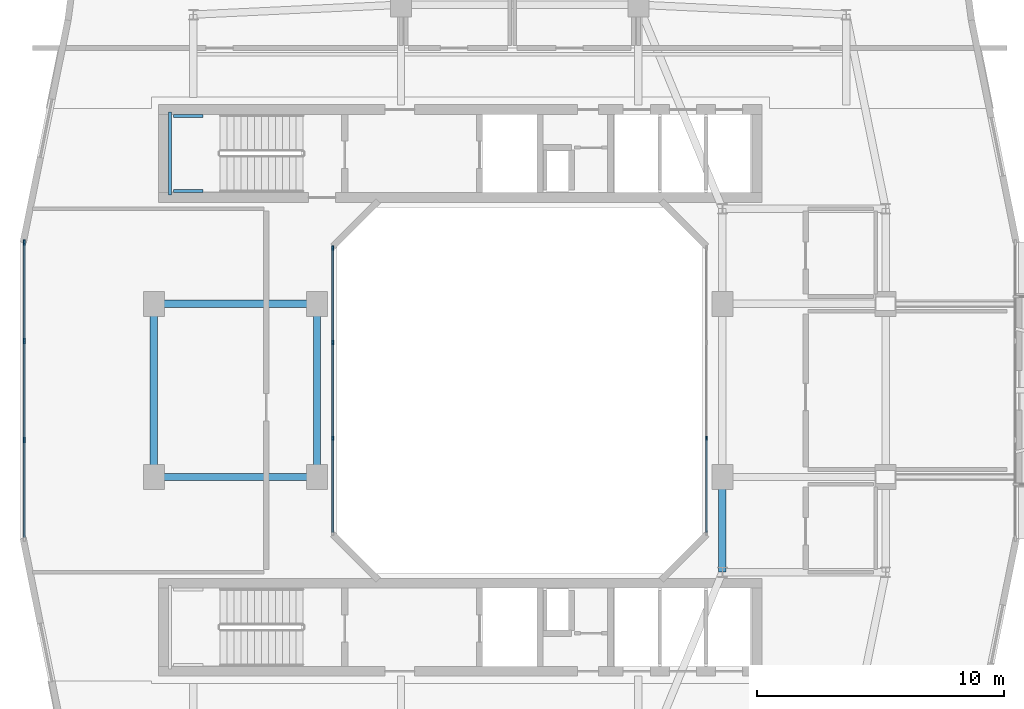
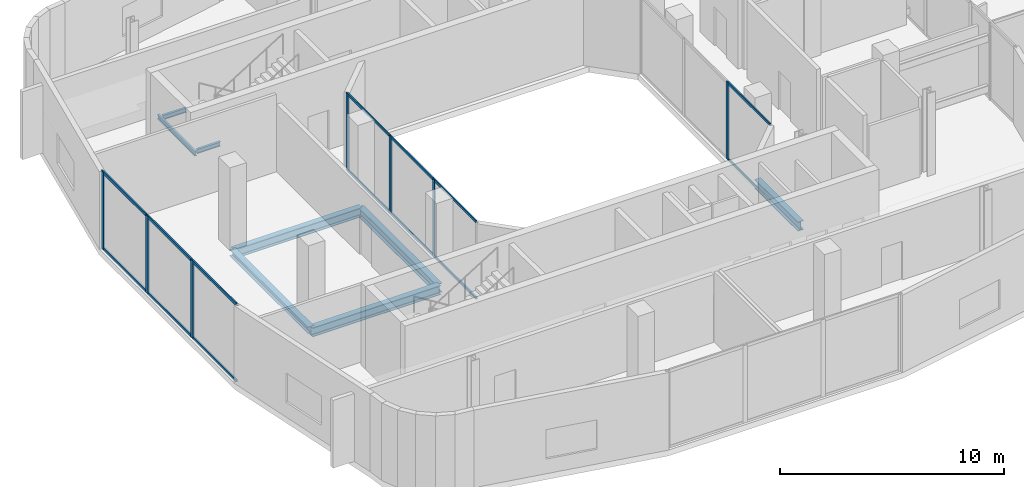
# One storey, part 4 of 24: 21 members, 8 beams, 3 elements without a shape of their own.
"""IFC4 building model written with IfcOpenShell, lengths in metres."""

from ifc_helpers import new_model, si_unit, derived_unit, direction, frame, origin, origin_2d, place, context, subcontext, project, spatial, rectangle, i_section, extrude, material, layer, layer_set, material_profile, profile_set, type_object, element, aggregate, save


model = new_model("IFC4")

# Units and contexts
model_context = context("Model", 3, precision=1e-05, world=origin(), true_north=direction((0.0, 1.0)))
body_context = subcontext(model_context, "Body", "Model", "MODEL_VIEW")
ifc_project = project(units=[si_unit("LENGTHUNIT", "METRE"), si_unit("AREAUNIT", "SQUARE_METRE"), si_unit("VOLUMEUNIT", "CUBIC_METRE"), si_unit("PLANEANGLEUNIT", "RADIAN"), si_unit("MASSUNIT", "GRAM", prefix="KILO"), derived_unit("THERMALTRANSMITTANCEUNIT", [(si_unit("POWERUNIT", "WATT"), 1), (si_unit("LENGTHUNIT", "METRE"), -2), (si_unit("THERMODYNAMICTEMPERATUREUNIT", "KELVIN"), -1)])], contexts=[model_context])

# Site, building, storey
site_placement = place(None, origin())
site = spatial("IfcSite", under=ifc_project, at=site_placement, CompositionType="ELEMENT")
building_placement = place(site_placement, origin())
building = spatial("IfcBuilding", under=site, at=building_placement, Name="Kivonza Crest Hotel", CompositionType="ELEMENT")
storey_placement = place(building_placement, frame((0.0, 0.0, 119.5)))
storey = spatial("IfcBuildingStorey", under=building, at=storey_placement, Name="L32", CompositionType="ELEMENT", Elevation=119.5)

# Beams
ifc_material_1 = material(Name="Steel S355", Category="steel")
ifc_material_profile_1 = material_profile(ifc_material_1, i_section(OverallWidth=0.300048828125, OverallDepth=0.360107421875, WebThickness=0.012451171875, FlangeThickness=0.0224609375, FilletRadius=0.027099609375, at=origin_2d()), Name="HEB 360")
ifc_profile_set_1 = profile_set([ifc_material_profile_1], Name="Steel S355")
beam_type_1 = type_object("IfcBeamType", Name="BM-HEB360", PredefinedType="SPANDREL", material=ifc_profile_set_1)
beam_1_placement = place(storey_placement, frame((6.199951171875, 28.5, -0.5), z_axis=(0.0, -1.0, 0.0), x_axis=(1.0, 0.0, 0.0)))
element("IfcBeam", 1, at=beam_1_placement, inside=storey, type_object=beam_type_1, Name="Tower T1 L32 perimeter spandrel W2-W1", PredefinedType="SPANDREL", context=body_context, shape_type="SweptSolid", body=[
    extrude(i_section(OverallWidth=0.300048828125, OverallDepth=0.360107421875, WebThickness=0.012451171875, FlangeThickness=0.0224609375, FilletRadius=0.027099609375, at=origin_2d()), origin(), (0.0, 0.0, 1.0), 7.0),
])
ifc_material_profile_2 = material_profile(ifc_material_1, i_section(OverallWidth=0.300048828125, OverallDepth=0.5, WebThickness=0.014404296875, FlangeThickness=0.028076171875, FilletRadius=0.027099609375, at=origin_2d()), Name="HEB 500")
ifc_profile_set_2 = profile_set([ifc_material_profile_2], Name="Steel S355")
beam_type_2 = type_object("IfcBeamType", Name="BM-HEB500", PredefinedType="BEAM", material=ifc_profile_set_2)
for number, where, z_axis, x_axis, name in (
    (2, (6.199951171875, 21.5, -0.570068359375), (1.0, 0.0, 0.0), (0.0, 1.0, 0.0), "Tower T1 L32 primary girder W1-WL1"),
    (3, (6.199951171875, 28.5, -0.570068359375), (1.0, 0.0, 0.0), (0.0, 1.0, 0.0), "Tower T1 L32 primary girder W2-WL2"),
):
    element("IfcBeam", number, at=place(storey_placement, frame(where, z_axis=z_axis, x_axis=x_axis)), inside=storey, type_object=beam_type_2, Name=name, PredefinedType="BEAM", context=body_context, shape_type="SweptSolid", body=[
        extrude(i_section(OverallWidth=0.300048828125, OverallDepth=0.5, WebThickness=0.014404296875, FlangeThickness=0.028076171875, FilletRadius=0.027099609375, at=origin_2d()), origin(), (0.0, 0.0, 1.0), 6.60009765625),
    ])
beam_2_placement = place(storey_placement, frame((12.800048828125, 21.5, -0.570068359375), z_axis=(0.0, 1.0, 0.0), x_axis=(-1.0, 0.0, 0.0)))
element("IfcBeam", 4, at=beam_2_placement, inside=storey, type_object=beam_type_2, Name="Tower T1 L32 primary girder WL1-WL2", PredefinedType="BEAM", context=body_context, shape_type="SweptSolid", body=[
    extrude(i_section(OverallWidth=0.300048828125, OverallDepth=0.5, WebThickness=0.014404296875, FlangeThickness=0.028076171875, FilletRadius=0.027099609375, at=origin_2d()), origin(), (0.0, 0.0, 1.0), 7.0),
])
beam_3_placement = place(storey_placement, frame((29.199951171875, 17.64990234375, -0.570068359375), z_axis=(0.0, 1.0, 0.0), x_axis=(-1.0, 0.0, 0.0)))
element("IfcBeam", 5, at=beam_3_placement, inside=storey, type_object=beam_type_2, Name="Tower T1 L32 primary girder TSE-WR1", PredefinedType="BEAM", context=body_context, shape_type="SweptSolid", body=[
    extrude(i_section(OverallWidth=0.300048828125, OverallDepth=0.5, WebThickness=0.014404296875, FlangeThickness=0.028076171875, FilletRadius=0.027099609375, at=origin_2d()), origin(), (0.0, 0.0, 1.0), 3.85009765625),
])
ifc_material_profile_3 = material_profile(ifc_material_1, i_section(OverallWidth=0.1201171875, OverallDepth=0.239990234375, WebThickness=0.006103515625, FlangeThickness=0.009765625, FilletRadius=0.014892578125, at=origin_2d()), Name="IPE 240")
ifc_profile_set_3 = profile_set([ifc_material_profile_3], Name="Steel S355")
beam_type_3 = type_object("IfcBeamType", Name="BM-LLDG-240", PredefinedType="BEAM", material=ifc_profile_set_3)
beam_4_placement = place(storey_placement, frame((6.860107421875, 32.89990234375, 1.929931640625), z_axis=(0.0, 1.0, 0.0), x_axis=(-1.0, 0.0, 0.0)))
element("IfcBeam", 6, at=beam_4_placement, inside=storey, type_object=beam_type_3, Name="Stair ST-T1-N L32 West landing corbel", PredefinedType="BEAM", context=body_context, shape_type="SweptSolid", body=[
    extrude(i_section(OverallWidth=0.1201171875, OverallDepth=0.239990234375, WebThickness=0.006103515625, FlangeThickness=0.009765625, FilletRadius=0.014892578125, at=origin_2d()), origin(), (0.0, 0.0, 1.0), 3.360107421875),
])
for number, where, z_axis, x_axis, name in (
    (7, (6.989990234375, 33.06005859375, 1.929931640625), (1.0, 0.0, 0.0), (0.0, 1.0, 0.0), "Stair ST-T1-N L32 South landing corbel"),
    (8, (6.989990234375, 36.10009765625, 1.929931640625), (1.0, 0.0, 0.0), (0.0, 1.0, 0.0), "Stair ST-T1-N L32 North landing corbel"),
):
    element("IfcBeam", number, at=place(storey_placement, frame(where, z_axis=z_axis, x_axis=x_axis)), inside=storey, type_object=beam_type_3, Name=name, PredefinedType="BEAM", context=body_context, shape_type="SweptSolid", body=[
        extrude(i_section(OverallWidth=0.1201171875, OverallDepth=0.239990234375, WebThickness=0.006103515625, FlangeThickness=0.009765625, FilletRadius=0.014892578125, at=origin_2d()), origin(), (0.0, 0.0, 1.0), 1.2099609375),
    ])

# Curtain wall, member
ifc_material_2 = material(Name="Anodised bronze aluminium and low-E double glazing", Category="aluminium")
ifc_layer_1 = layer(ifc_material_2, 0.159912109375)
ifc_layer_set_1 = layer_set([ifc_layer_1], Name="Anodised bronze aluminium and low-E double glazing")
curtain_wall_type_1 = type_object("IfcCurtainWallType", Name="CW-SYS-5", PredefinedType="NOTDEFINED", material=ifc_layer_set_1)
curtain_wall_1_placement = place(storey_placement, origin())
curtain_wall_1 = element("IfcCurtainWall", 9, at=curtain_wall_1_placement, inside=storey, type_object=curtain_wall_type_1, Name="L32 unitised curtain wall CW-WELL-T1-L32-3", PredefinedType="NOTDEFINED")
ifc_material_3 = material(Name="Anodised bronze aluminium", Category="aluminium")
ifc_material_profile_4 = material_profile(ifc_material_3, rectangle(XDim=0.06494140625, YDim=0.179931640625, at=origin_2d()), Name="CW-M 65x180")
ifc_profile_set_4 = profile_set([ifc_material_profile_4], Name="Anodised bronze aluminium")
member_type_1 = type_object("IfcMemberType", Name="CW-MUL-65x180", PredefinedType="MULLION", material=ifc_profile_set_4)
member_1_placement = place(storey_placement, frame((28.56005859375, 23.066650390625, 0.0), z_axis=(0.0, 0.0, 1.0), x_axis=(-1.0, 0.0, 0.0)))
member_1 = element("IfcMember", 10, at=member_1_placement, type_object=member_type_1, Name="CW-5 mullion 2", PredefinedType="MULLION", context=body_context, shape_type="SweptSolid", body=[
    extrude(rectangle(XDim=0.06494140625, YDim=0.179931640625, at=origin_2d()), origin(), (0.0, 0.0, 1.0), 4.219970703125),
])

# Curtain wall, members
curtain_wall_2_placement = place(storey_placement, origin())
curtain_wall_2 = element("IfcCurtainWall", 11, at=curtain_wall_2_placement, inside=storey, type_object=curtain_wall_type_1, Name="L32 unitised curtain wall CW-WELL-T1-L32-7", PredefinedType="NOTDEFINED")
member_2_placement = place(storey_placement, frame((13.43994140625, 30.767578125, 0.0), z_axis=(0.0, 0.0, 1.0), x_axis=(1.0, 0.0, 0.0)))
member_2 = element("IfcMember", 12, at=member_2_placement, type_object=member_type_1, Name="CW-5 mullion 1", PredefinedType="MULLION", context=body_context, shape_type="SweptSolid", body=[
    extrude(rectangle(XDim=0.06494140625, YDim=0.179931640625, at=origin_2d()), origin(), (0.0, 0.0, 1.0), 4.219970703125),
])
member_3_placement = place(storey_placement, frame((13.43994140625, 26.933349609375, 0.0), z_axis=(0.0, 0.0, 1.0), x_axis=(1.0, 0.0, 0.0)))
member_3 = element("IfcMember", 13, at=member_3_placement, type_object=member_type_1, Name="CW-5 mullion 2", PredefinedType="MULLION", context=body_context, shape_type="SweptSolid", body=[
    extrude(rectangle(XDim=0.06494140625, YDim=0.179931640625, at=origin_2d()), origin(), (0.0, 0.0, 1.0), 4.219970703125),
])
member_4_placement = place(storey_placement, frame((13.43994140625, 23.066650390625, 0.0), z_axis=(0.0, 0.0, 1.0), x_axis=(1.0, 0.0, 0.0)))
member_4 = element("IfcMember", 14, at=member_4_placement, type_object=member_type_1, Name="CW-5 mullion 3", PredefinedType="MULLION", context=body_context, shape_type="SweptSolid", body=[
    extrude(rectangle(XDim=0.06494140625, YDim=0.179931640625, at=origin_2d()), origin(), (0.0, 0.0, 1.0), 4.219970703125),
])

ifc_layer_2 = layer(ifc_material_2, 0.179931640625)
ifc_layer_set_2 = layer_set([ifc_layer_2], Name="Anodised bronze aluminium and low-E double glazing")
curtain_wall_type_2 = type_object("IfcCurtainWallType", Name="CW-SYS-3", PredefinedType="NOTDEFINED", material=ifc_layer_set_2)
curtain_wall_3_placement = place(storey_placement, origin())
curtain_wall_3 = element("IfcCurtainWall", 15, at=curtain_wall_3_placement, inside=storey, type_object=curtain_wall_type_2, Name="L32 unitised curtain wall CW-T1-L32-35", PredefinedType="NOTDEFINED")
ifc_material_profile_5 = material_profile(ifc_material_3, rectangle(XDim=0.074951171875, YDim=0.219970703125, at=origin_2d()), Name="CW-M 75x220")
ifc_profile_set_5 = profile_set([ifc_material_profile_5], Name="Anodised bronze aluminium")
member_type_2 = type_object("IfcMemberType", Name="CW-MUL-75x220", PredefinedType="MULLION", material=ifc_profile_set_5)
member_5_placement = place(storey_placement, frame((0.9599609375, 30.982421875, 0.0), z_axis=(0.0, 0.0, 1.0), x_axis=(1.0, 0.0, 0.0)))
member_5 = element("IfcMember", 16, at=member_5_placement, type_object=member_type_2, Name="CW-3 mullion 1", PredefinedType="MULLION", context=body_context, shape_type="SweptSolid", body=[
    extrude(rectangle(XDim=0.074951171875, YDim=0.219970703125, at=origin_2d()), origin(), (0.0, 0.0, 1.0), 4.219970703125),
])
member_6_placement = place(storey_placement, frame((0.9599609375, 27.006591796875, 0.0), z_axis=(0.0, 0.0, 1.0), x_axis=(1.0, 0.0, 0.0)))
member_6 = element("IfcMember", 17, at=member_6_placement, type_object=member_type_2, Name="CW-3 mullion 2", PredefinedType="MULLION", context=body_context, shape_type="SweptSolid", body=[
    extrude(rectangle(XDim=0.074951171875, YDim=0.219970703125, at=origin_2d()), origin(), (0.0, 0.0, 1.0), 4.219970703125),
])
member_7_placement = place(storey_placement, frame((0.9599609375, 22.993408203125, 0.0), z_axis=(0.0, 0.0, 1.0), x_axis=(1.0, 0.0, 0.0)))
member_7 = element("IfcMember", 18, at=member_7_placement, type_object=member_type_2, Name="CW-3 mullion 3", PredefinedType="MULLION", context=body_context, shape_type="SweptSolid", body=[
    extrude(rectangle(XDim=0.074951171875, YDim=0.219970703125, at=origin_2d()), origin(), (0.0, 0.0, 1.0), 4.219970703125),
])

# Member
ifc_material_profile_6 = material_profile(ifc_material_3, rectangle(XDim=0.06494140625, YDim=0.139892578125, at=origin_2d()), Name="CW-T 65x140")
ifc_profile_set_6 = profile_set([ifc_material_profile_6], Name="Anodised bronze aluminium")
member_type_3 = type_object("IfcMemberType", Name="CW-TRN-65x140", PredefinedType="USERDEFINED", material=ifc_profile_set_6)
member_8_placement = place(storey_placement, frame((28.56005859375, 19.264892578125, 0.032470703125), z_axis=(0.0, 1.0, 0.0), x_axis=(-1.0, 0.0, 0.0)))
member_8 = element("IfcMember", 19, at=member_8_placement, type_object=member_type_3, Name="CW-5 transom 1.1", ObjectType="TRANSOM", PredefinedType="USERDEFINED", context=body_context, shape_type="SweptSolid", body=[
    extrude(rectangle(XDim=0.06494140625, YDim=0.139892578125, at=origin_2d()), origin(), (0.0, 0.0, 1.0), 3.769287109375),
])

member_9_placement = place(storey_placement, frame((28.56005859375, 19.264892578125, 4.1875), z_axis=(0.0, 1.0, 0.0), x_axis=(-1.0, 0.0, 0.0)))
member_9 = element("IfcMember", 20, at=member_9_placement, type_object=member_type_3, Name="CW-5 transom 1.2", ObjectType="TRANSOM", PredefinedType="USERDEFINED", context=body_context, shape_type="SweptSolid", body=[
    extrude(rectangle(XDim=0.06494140625, YDim=0.139892578125, at=origin_2d()), origin(), (0.0, 0.0, 1.0), 3.769287109375),
])

aggregate(curtain_wall_1, [member_1, member_8, member_9])

member_10_placement = place(storey_placement, frame((13.43994140625, 30.735107421875, 0.032470703125), z_axis=(0.0, -1.0, 0.0), x_axis=(1.0, 0.0, 0.0)))
member_10 = element("IfcMember", 21, at=member_10_placement, type_object=member_type_3, Name="CW-5 transom 1.1", ObjectType="TRANSOM", PredefinedType="USERDEFINED", context=body_context, shape_type="SweptSolid", body=[
    extrude(rectangle(XDim=0.06494140625, YDim=0.139892578125, at=origin_2d()), origin(), (0.0, 0.0, 1.0), 3.769287109375),
])

member_11_placement = place(storey_placement, frame((13.43994140625, 30.735107421875, 4.1875), z_axis=(0.0, -1.0, 0.0), x_axis=(1.0, 0.0, 0.0)))
member_11 = element("IfcMember", 22, at=member_11_placement, type_object=member_type_3, Name="CW-5 transom 1.2", ObjectType="TRANSOM", PredefinedType="USERDEFINED", context=body_context, shape_type="SweptSolid", body=[
    extrude(rectangle(XDim=0.06494140625, YDim=0.139892578125, at=origin_2d()), origin(), (0.0, 0.0, 1.0), 3.769287109375),
])

member_12_placement = place(storey_placement, frame((13.43994140625, 26.90087890625, 0.032470703125), z_axis=(0.0, -1.0, 0.0), x_axis=(1.0, 0.0, 0.0)))
member_12 = element("IfcMember", 23, at=member_12_placement, type_object=member_type_3, Name="CW-5 transom 2.1", ObjectType="TRANSOM", PredefinedType="USERDEFINED", context=body_context, shape_type="SweptSolid", body=[
    extrude(rectangle(XDim=0.06494140625, YDim=0.139892578125, at=origin_2d()), origin(), (0.0, 0.0, 1.0), 3.8017578125),
])

member_13_placement = place(storey_placement, frame((13.43994140625, 26.90087890625, 4.1875), z_axis=(0.0, -1.0, 0.0), x_axis=(1.0, 0.0, 0.0)))
member_13 = element("IfcMember", 24, at=member_13_placement, type_object=member_type_3, Name="CW-5 transom 2.2", ObjectType="TRANSOM", PredefinedType="USERDEFINED", context=body_context, shape_type="SweptSolid", body=[
    extrude(rectangle(XDim=0.06494140625, YDim=0.139892578125, at=origin_2d()), origin(), (0.0, 0.0, 1.0), 3.8017578125),
])

member_14_placement = place(storey_placement, frame((13.43994140625, 23.0341796875, 0.032470703125), z_axis=(0.0, -1.0, 0.0), x_axis=(1.0, 0.0, 0.0)))
member_14 = element("IfcMember", 25, at=member_14_placement, type_object=member_type_3, Name="CW-5 transom 3.1", ObjectType="TRANSOM", PredefinedType="USERDEFINED", context=body_context, shape_type="SweptSolid", body=[
    extrude(rectangle(XDim=0.06494140625, YDim=0.139892578125, at=origin_2d()), origin(), (0.0, 0.0, 1.0), 3.769287109375),
])

member_15_placement = place(storey_placement, frame((13.43994140625, 23.0341796875, 4.1875), z_axis=(0.0, -1.0, 0.0), x_axis=(1.0, 0.0, 0.0)))
member_15 = element("IfcMember", 26, at=member_15_placement, type_object=member_type_3, Name="CW-5 transom 3.2", ObjectType="TRANSOM", PredefinedType="USERDEFINED", context=body_context, shape_type="SweptSolid", body=[
    extrude(rectangle(XDim=0.06494140625, YDim=0.139892578125, at=origin_2d()), origin(), (0.0, 0.0, 1.0), 3.769287109375),
])

aggregate(curtain_wall_2, [member_2, member_3, member_4, member_10, member_11, member_12, member_13, member_14, member_15])

ifc_material_profile_7 = material_profile(ifc_material_3, rectangle(XDim=0.074951171875, YDim=0.159912109375, at=origin_2d()), Name="CW-T 75x160")
ifc_profile_set_7 = profile_set([ifc_material_profile_7], Name="Anodised bronze aluminium")
member_type_4 = type_object("IfcMemberType", Name="CW-TRN-75x160", PredefinedType="USERDEFINED", material=ifc_profile_set_7)
member_16_placement = place(storey_placement, frame((0.9599609375, 30.945068359375, 0.03759765625), z_axis=(0.0, -1.0, 0.0), x_axis=(1.0, 0.0, 0.0)))
member_16 = element("IfcMember", 27, at=member_16_placement, type_object=member_type_4, Name="CW-3 transom 1.1", ObjectType="TRANSOM", PredefinedType="USERDEFINED", context=body_context, shape_type="SweptSolid", body=[
    extrude(rectangle(XDim=0.074951171875, YDim=0.159912109375, at=origin_2d()), origin(), (0.0, 0.0, 1.0), 3.90087890625),
])

member_17_placement = place(storey_placement, frame((0.9599609375, 30.945068359375, 4.1826171875), z_axis=(0.0, -1.0, 0.0), x_axis=(1.0, 0.0, 0.0)))
member_17 = element("IfcMember", 28, at=member_17_placement, type_object=member_type_4, Name="CW-3 transom 1.2", ObjectType="TRANSOM", PredefinedType="USERDEFINED", context=body_context, shape_type="SweptSolid", body=[
    extrude(rectangle(XDim=0.074951171875, YDim=0.159912109375, at=origin_2d()), origin(), (0.0, 0.0, 1.0), 3.90087890625),
])

member_18_placement = place(storey_placement, frame((0.9599609375, 26.96923828125, 0.03759765625), z_axis=(0.0, -1.0, 0.0), x_axis=(1.0, 0.0, 0.0)))
member_18 = element("IfcMember", 29, at=member_18_placement, type_object=member_type_4, Name="CW-3 transom 2.1", ObjectType="TRANSOM", PredefinedType="USERDEFINED", context=body_context, shape_type="SweptSolid", body=[
    extrude(rectangle(XDim=0.074951171875, YDim=0.159912109375, at=origin_2d()), origin(), (0.0, 0.0, 1.0), 3.9384765625),
])

member_19_placement = place(storey_placement, frame((0.9599609375, 26.96923828125, 4.1826171875), z_axis=(0.0, -1.0, 0.0), x_axis=(1.0, 0.0, 0.0)))
member_19 = element("IfcMember", 30, at=member_19_placement, type_object=member_type_4, Name="CW-3 transom 2.2", ObjectType="TRANSOM", PredefinedType="USERDEFINED", context=body_context, shape_type="SweptSolid", body=[
    extrude(rectangle(XDim=0.074951171875, YDim=0.159912109375, at=origin_2d()), origin(), (0.0, 0.0, 1.0), 3.9384765625),
])

member_20_placement = place(storey_placement, frame((0.9599609375, 22.955810546875, 0.03759765625), z_axis=(0.0, -1.0, 0.0), x_axis=(1.0, 0.0, 0.0)))
member_20 = element("IfcMember", 31, at=member_20_placement, type_object=member_type_4, Name="CW-3 transom 3.1", ObjectType="TRANSOM", PredefinedType="USERDEFINED", context=body_context, shape_type="SweptSolid", body=[
    extrude(rectangle(XDim=0.074951171875, YDim=0.159912109375, at=origin_2d()), origin(), (0.0, 0.0, 1.0), 3.90087890625),
])

member_21_placement = place(storey_placement, frame((0.9599609375, 22.955810546875, 4.1826171875), z_axis=(0.0, -1.0, 0.0), x_axis=(1.0, 0.0, 0.0)))
member_21 = element("IfcMember", 32, at=member_21_placement, type_object=member_type_4, Name="CW-3 transom 3.2", ObjectType="TRANSOM", PredefinedType="USERDEFINED", context=body_context, shape_type="SweptSolid", body=[
    extrude(rectangle(XDim=0.074951171875, YDim=0.159912109375, at=origin_2d()), origin(), (0.0, 0.0, 1.0), 3.90087890625),
])

aggregate(curtain_wall_3, [member_5, member_6, member_7, member_16, member_17, member_18, member_19, member_20, member_21])

save(model, "model.ifc")
